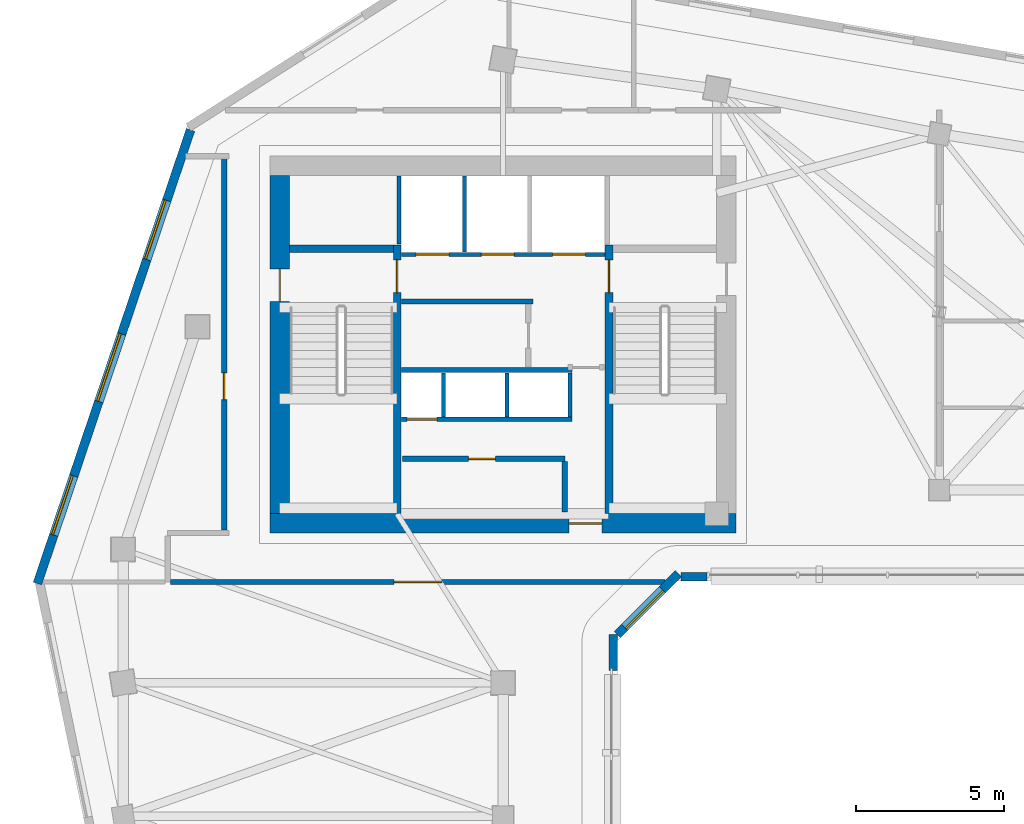
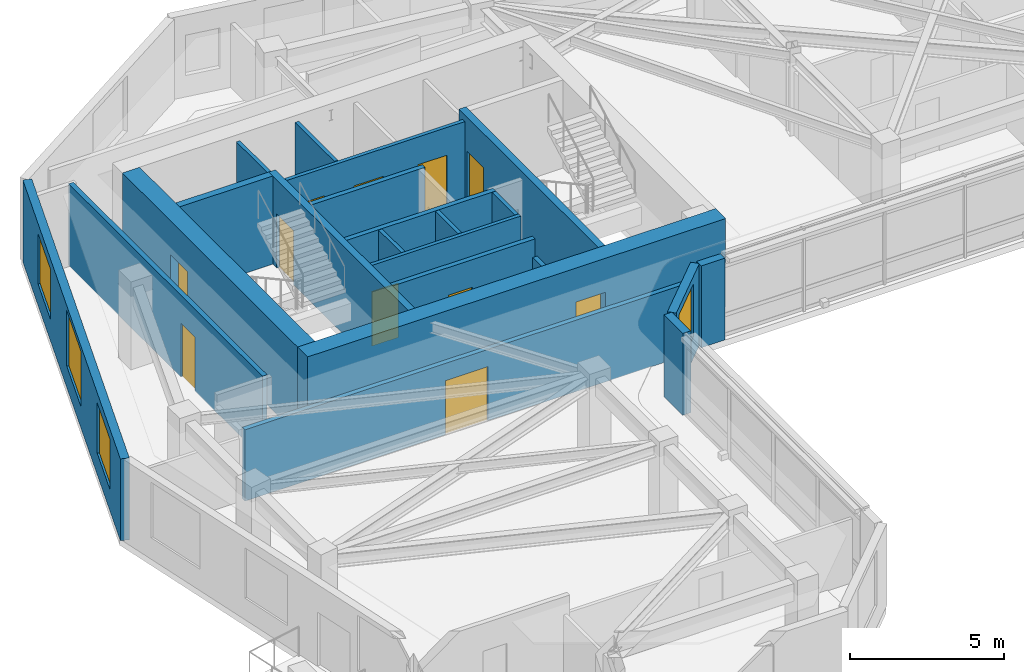
# One storey, part 5 of 10: 22 walls, 11 doors, 4 windows, 15 openings.
"""IFC4 building model written with IfcOpenShell, lengths in metres."""

from ifc_helpers import new_model, si_unit, direction, frame, frame_2d, origin, place, context, subcontext, project, spatial, rectangle, extrude, source, transform, mapped, material, layer, layer_set, type_object, element, fill, save


model = new_model("IFC4")

# Units and contexts
model_context = context("Model", 3, precision=1e-05, world=origin(), true_north=direction((0.0, 1.0)))
body_context = subcontext(model_context, "Body", "Model", "MODEL_VIEW")
ifc_project = project(units=[si_unit("LENGTHUNIT", "METRE"), si_unit("AREAUNIT", "SQUARE_METRE"), si_unit("VOLUMEUNIT", "CUBIC_METRE"), si_unit("PLANEANGLEUNIT", "RADIAN"), si_unit("MASSUNIT", "GRAM", prefix="KILO")], contexts=[model_context])

# Site, building, storey
site_placement = place(None, origin())
site = spatial("IfcSite", under=ifc_project, at=site_placement, CompositionType="ELEMENT")
building_placement = place(site_placement, origin())
building = spatial("IfcBuilding", under=site, at=building_placement, Name="Calvemar Wedge Station Tower", CompositionType="ELEMENT")
storey_placement = place(building_placement, frame((0.0, 0.0, 204.39990234375)))
storey = spatial("IfcBuildingStorey", under=building, at=storey_placement, Name="L51", CompositionType="ELEMENT", Elevation=204.39990234375)

# Wall, opening, door
ifc_material_1 = material(Name="Concrete C50", Category="concrete")
ifc_layer_1 = layer(ifc_material_1, 0.260009765625)
ifc_layer_set_1 = layer_set([ifc_layer_1], Name="Concrete C50")
wall_type_1 = type_object("IfcWallType", Name="SW-CORE-260", PredefinedType="SHEAR", material=ifc_layer_set_1)
wall_1_placement = place(storey_placement, frame((20.22998046875, 34.199951171875, 0.0), z_axis=(0.0, 0.0, 1.0), x_axis=(0.0, 1.0, 0.0)))
wall_1 = element("IfcWall", 1, at=wall_1_placement, inside=storey, type_object=wall_type_1, Name="Storey L51 Core Shear Wall SPINE-W", PredefinedType="SHEAR", context=body_context, shape_type="SweptSolid", body=[
    extrude(rectangle(XDim=9.06005859375, YDim=0.260009765625, at=frame_2d((4.530029296875, 0.0))), origin(), (0.0, 0.0, 1.0), 3.5),
])
shared_shape_1 = source(origin(), body_context, "Body", "SweptSolid", [
    extrude(rectangle(XDim=1.10009765625, YDim=2.14990234375, at=frame_2d((0.550048828125, 1.074951171875))), frame((0.0, 0.14013671875, 0.0), z_axis=(0.0, -1.0, 0.0), x_axis=(1.0, 0.0, 0.0)), (0.0, 0.0, 1.0), 0.280029296875),
])
opening_1_placement = place(wall_1_placement, frame((7.449951171875, 0.0, 0.0)))
opening_1 = element("IfcOpeningElement", 2, at=opening_1_placement, cuts=wall_1, Name="Opening FD-90", PredefinedType="OPENING", context=body_context, shape_type="MappedRepresentation", body=[
    mapped(shared_shape_1, transform((0.0, 0.0, 0.0), scale=1.0)),
])
ifc_material_2 = material(Name="Galvanized fire-rated steel door leaf P-90", Category="steel")
door_type_1 = type_object("IfcDoorType", Name="DR-FD90-1100", OperationType="NOTDEFINED", PredefinedType="DOOR", material=ifc_material_2)
shared_shape_2 = source(origin(), body_context, "Body", "SweptSolid", [
    extrude(rectangle(XDim=1.10009765625, YDim=2.14990234375, at=frame_2d((0.550048828125, 1.074951171875))), frame((0.0, 0.02490234375, 0.0), z_axis=(0.0, -1.0, 0.0), x_axis=(1.0, 0.0, 0.0)), (0.0, 0.0, 1.0), 0.050048828125),
])
door_1_placement = place(opening_1_placement, origin())
door_1 = element("IfcDoor", 3, at=door_1_placement, inside=storey, type_object=door_type_1, Name="L51 FF Lobby to Stair ST-C1 Door", OperationType="SINGLE_SWING_RIGHT", OverallHeight=2.14990234375, OverallWidth=1.10009765625, PredefinedType="DOOR", context=body_context, shape_type="MappedRepresentation", body=[
    mapped(shared_shape_2, transform((0.0, 0.0, 0.0), scale=1.0)),
])
fill(opening_1, door_1)

wall_2_placement = place(storey_placement, frame((27.3701171875, 34.199951171875, 0.0), z_axis=(0.0, 0.0, 1.0), x_axis=(0.0, 1.0, 0.0)))
wall_2 = element("IfcWall", 4, at=wall_2_placement, inside=storey, type_object=wall_type_1, Name="Storey L51 Core Shear Wall SPINE-E", PredefinedType="SHEAR", context=body_context, shape_type="SweptSolid", body=[
    extrude(rectangle(XDim=9.06005859375, YDim=0.260009765625, at=frame_2d((4.530029296875, 0.0))), origin(), (0.0, 0.0, 1.0), 3.5),
])
opening_2_placement = place(wall_2_placement, frame((7.449951171875, 0.0, 0.0)))
opening_2 = element("IfcOpeningElement", 5, at=opening_2_placement, cuts=wall_2, Name="Opening FD-90", PredefinedType="OPENING", context=body_context, shape_type="MappedRepresentation", body=[
    mapped(shared_shape_1, transform((0.0, 0.0, 0.0), scale=1.0)),
])
door_2_placement = place(opening_2_placement, origin())
door_2 = element("IfcDoor", 6, at=door_2_placement, inside=storey, type_object=door_type_1, Name="L51 FF Lobby to Stair ST-C2 Door", OperationType="SINGLE_SWING_LEFT", OverallHeight=2.14990234375, OverallWidth=1.10009765625, PredefinedType="DOOR", context=body_context, shape_type="MappedRepresentation", body=[
    mapped(shared_shape_2, transform((0.0, 0.0, 0.0), scale=1.0)),
])
fill(opening_2, door_2)

# Wall
wall_3_placement = place(storey_placement, frame((16.60009765625, 43.1298828125, 0.0), z_axis=(0.0, 0.0, 1.0), x_axis=(1.0, 0.0, 0.0)))
element("IfcWall", 7, at=wall_3_placement, inside=storey, type_object=wall_type_1, Name="Storey L51 Core Shear Wall STC1-N", PredefinedType="SHEAR", context=body_context, shape_type="SweptSolid", body=[
    extrude(rectangle(XDim=3.5, YDim=0.260009765625, at=frame_2d((1.75, 0.0))), origin(), (0.0, 0.0, 1.0), 3.5),
])

# Wall, opening, door
ifc_material_3 = material(Name="Concrete C60", Category="concrete")
ifc_layer_2 = layer(ifc_material_3, 0.64990234375)
ifc_layer_set_2 = layer_set([ifc_layer_2], Name="Concrete C60")
wall_type_2 = type_object("IfcWallType", Name="SW-CORE-650", PredefinedType="SHEAR", material=ifc_layer_set_2)
wall_4_placement = place(storey_placement, frame((15.949951171875, 33.875, 0.0), z_axis=(0.0, 0.0, 1.0), x_axis=(1.0, 0.0, 0.0)))
wall_4 = element("IfcWall", 8, at=wall_4_placement, inside=storey, type_object=wall_type_2, Name="Storey L51 Core Shear Wall S", PredefinedType="SHEAR", context=body_context, shape_type="SweptSolid", body=[
    extrude(rectangle(XDim=15.699951171875, YDim=0.64990234375, at=frame_2d((7.85009765625, 0.0))), origin(), (0.0, 0.0, 1.0), 3.5),
])
shared_shape_3 = source(origin(), body_context, "Body", "SweptSolid", [
    extrude(rectangle(XDim=1.10009765625, YDim=2.14990234375, at=frame_2d((0.550048828125, 1.074951171875))), frame((0.0, 0.3349609375, 0.0), z_axis=(0.0, -1.0, 0.0), x_axis=(1.0, 0.0, 0.0)), (0.0, 0.0, 1.0), 0.669921875),
])
opening_3_placement = place(wall_4_placement, frame((10.080078125, 0.0, 0.0)))
opening_3 = element("IfcOpeningElement", 9, at=opening_3_placement, cuts=wall_4, Name="Opening FD-90", PredefinedType="OPENING", context=body_context, shape_type="MappedRepresentation", body=[
    mapped(shared_shape_3, transform((0.0, 0.0, 0.0), scale=1.0)),
])
door_3_placement = place(opening_3_placement, origin())
door_3 = element("IfcDoor", 10, at=door_3_placement, inside=storey, type_object=door_type_1, Name="L51 Passenger Lift Lobby Door", OperationType="SINGLE_SWING_RIGHT", OverallHeight=2.14990234375, OverallWidth=1.10009765625, PredefinedType="DOOR", context=body_context, shape_type="MappedRepresentation", body=[
    mapped(shared_shape_2, transform((0.0, 0.0, 0.0), scale=1.0)),
])
fill(opening_3, door_3)

wall_5_placement = place(storey_placement, frame((16.27490234375, 34.199951171875, 0.0), z_axis=(0.0, 0.0, 1.0), x_axis=(0.0, 1.0, 0.0)))
wall_5 = element("IfcWall", 11, at=wall_5_placement, inside=storey, type_object=wall_type_2, Name="Storey L51 Core Shear Wall W", PredefinedType="SHEAR", context=body_context, shape_type="SweptSolid", body=[
    extrude(rectangle(XDim=11.400146484375, YDim=0.64990234375, at=frame_2d((5.7001953125, 0.0))), origin(), (0.0, 0.0, 1.0), 3.5),
])
opening_4_placement = place(wall_5_placement, frame((7.14990234375, 0.0, 0.0)))
opening_4 = element("IfcOpeningElement", 12, at=opening_4_placement, cuts=wall_5, Name="Opening FD-90", PredefinedType="OPENING", context=body_context, shape_type="MappedRepresentation", body=[
    mapped(shared_shape_3, transform((0.0, 0.0, 0.0), scale=1.0)),
])
door_4_placement = place(opening_4_placement, origin())
door_4 = element("IfcDoor", 13, at=door_4_placement, inside=storey, type_object=door_type_1, Name="L51 West Corridor to Exit Stair ST-C1 Door", OperationType="SINGLE_SWING_RIGHT", OverallHeight=2.14990234375, OverallWidth=1.10009765625, PredefinedType="DOOR", context=body_context, shape_type="MappedRepresentation", body=[
    mapped(shared_shape_2, transform((0.0, 0.0, 0.0), scale=1.0)),
])
fill(opening_4, door_4)

# Wall
ifc_material_4 = material(Name="Double-stud fire-rated corridor partition")
ifc_layer_3 = layer(ifc_material_4, 0.179931640625)
ifc_layer_set_3 = layer_set([ifc_layer_3], Name="Double-stud fire-rated corridor partition")
wall_type_3 = type_object("IfcWallType", Name="W-CORR-180", PredefinedType="PARTITIONING", material=ifc_layer_set_3)
wall_6_placement = place(storey_placement, frame((24.81005859375, 41.35009765625, 0.0), z_axis=(0.0, 0.0, 1.0), x_axis=(-1.0, 0.0, 0.0)))
element("IfcWall", 14, at=wall_6_placement, inside=storey, type_object=wall_type_3, Name="Storey L51 Interior Partition WL-L51-001", PredefinedType="PARTITIONING", context=body_context, shape_type="SweptSolid", body=[
    extrude(rectangle(XDim=4.43017578125, YDim=0.179931640625, at=frame_2d((2.215087890625, 0.0))), origin(), (0.0, 0.0, 1.0), 3.25),
])

# Wall, opening, door
wall_7_placement = place(storey_placement, frame((20.419921875, 36.050048828125, 0.0), z_axis=(0.0, 0.0, 1.0), x_axis=(1.0, 0.0, 0.0)))
wall_7 = element("IfcWall", 15, at=wall_7_placement, inside=storey, type_object=wall_type_3, Name="Storey L51 Interior Partition WL-L51-004", PredefinedType="PARTITIONING", context=body_context, shape_type="SweptSolid", body=[
    extrude(rectangle(XDim=5.4599609375, YDim=0.179931640625, at=frame_2d((2.72998046875, 0.0))), origin(), (0.0, 0.0, 1.0), 3.25),
])
shared_shape_4 = source(origin(), body_context, "Body", "SweptSolid", [
    extrude(rectangle(XDim=0.89990234375, YDim=2.14990234375, at=frame_2d((0.449951171875, 1.074951171875))), frame((0.0, 0.10009765625, 0.0), z_axis=(0.0, -1.0, 0.0), x_axis=(1.0, 0.0, 0.0)), (0.0, 0.0, 1.0), 0.199951171875),
])
opening_5_placement = place(wall_7_placement, frame((2.219482421875, 0.0, 0.0)))
opening_5 = element("IfcOpeningElement", 16, at=opening_5_placement, cuts=wall_7, Name="Opening FD-60", PredefinedType="OPENING", context=body_context, shape_type="MappedRepresentation", body=[
    mapped(shared_shape_4, transform((0.0, 0.0, 0.0), scale=1.0)),
])
ifc_material_5 = material(Name="Fire-rated acoustic timber-core entrance door EI 60", Category="wood")
door_type_2 = type_object("IfcDoorType", Name="DR-FD60-900", OperationType="NOTDEFINED", PredefinedType="DOOR", material=ifc_material_5)
shared_shape_5 = source(origin(), body_context, "Body", "SweptSolid", [
    extrude(rectangle(XDim=0.89990234375, YDim=2.14990234375, at=frame_2d((0.449951171875, 1.074951171875))), frame((0.0, 0.02490234375, 0.0), z_axis=(0.0, -1.0, 0.0), x_axis=(1.0, 0.0, 0.0)), (0.0, 0.0, 1.0), 0.050048828125),
])
door_5_placement = place(opening_5_placement, origin())
door_5 = element("IfcDoor", 17, at=door_5_placement, inside=storey, type_object=door_type_2, Name="L51 Parcel and Resident Store Door", OperationType="SINGLE_SWING_LEFT", OverallHeight=2.14990234375, OverallWidth=0.89990234375, PredefinedType="DOOR", context=body_context, shape_type="MappedRepresentation", body=[
    mapped(shared_shape_5, transform((0.0, 0.0, 0.0), scale=1.0)),
])
fill(opening_5, door_5)

# Wall
wall_8_placement = place(storey_placement, frame((25.8798828125, 35.9560546875, 0.0), z_axis=(0.0, 0.0, 1.0), x_axis=(0.0, -1.0, 0.0)))
element("IfcWall", 18, at=wall_8_placement, inside=storey, type_object=wall_type_3, Name="Storey L51 Interior Partition WL-L51-005", PredefinedType="PARTITIONING", context=body_context, shape_type="SweptSolid", body=[
    extrude(rectangle(XDim=1.7060546875, YDim=0.179931640625, at=frame_2d((0.85302734375, 0.0))), origin(), (0.0, 0.0, 1.0), 2.5419921875),
])

# Wall, opening, door
wall_9_placement = place(storey_placement, frame((29.26513671875, 31.89990234375, 0.0), z_axis=(0.0, 0.0, 1.0), x_axis=(-1.0, 0.0, 0.0)))
wall_9 = element("IfcWall", 19, at=wall_9_placement, inside=storey, type_object=wall_type_3, Name="Storey L51 Interior Partition WL-L51-008", PredefinedType="PARTITIONING", context=body_context, shape_type="SweptSolid", body=[
    extrude(rectangle(XDim=16.671142578125, YDim=0.179931640625, at=frame_2d((8.33544921875, 0.0))), origin(), (0.0, 0.0, 1.0), 2.835205078125),
])
shared_shape_6 = source(origin(), body_context, "Body", "SweptSolid", [
    extrude(rectangle(XDim=1.60009765625, YDim=2.14990234375, at=frame_2d((0.800048828125, 1.074951171875))), frame((0.0, 0.10009765625, 0.0), z_axis=(0.0, -1.0, 0.0), x_axis=(1.0, 0.0, 0.0)), (0.0, 0.0, 1.0), 0.199951171875),
])
opening_6_placement = place(wall_9_placement, frame((7.53564453125, 0.0, 0.0)))
opening_6 = element("IfcOpeningElement", 20, at=opening_6_placement, cuts=wall_9, Name="Opening DD-160", PredefinedType="OPENING", context=body_context, shape_type="MappedRepresentation", body=[
    mapped(shared_shape_6, transform((0.0, 0.0, 0.0), scale=1.0)),
])
ifc_material_6 = material(Name="Double-leaf fire-rated lobby door EI 60")
door_type_3 = type_object("IfcDoorType", Name="DR-DBL-1600", OperationType="DOUBLE_DOOR_SINGLE_SWING", PredefinedType="DOOR", material=ifc_material_6)
shared_shape_7 = source(origin(), body_context, "Body", "SweptSolid", [
    extrude(rectangle(XDim=1.60009765625, YDim=2.14990234375, at=frame_2d((0.800048828125, 1.074951171875))), frame((0.0, 0.02490234375, 0.0), z_axis=(0.0, -1.0, 0.0), x_axis=(1.0, 0.0, 0.0)), (0.0, 0.0, 1.0), 0.050048828125),
])
door_6_placement = place(opening_6_placement, origin())
door_6 = element("IfcDoor", 21, at=door_6_placement, inside=storey, type_object=door_type_3, Name="L51 Resident Banquet Dining Hall Door", OperationType="SINGLE_SWING_RIGHT", OverallHeight=2.14990234375, OverallWidth=1.60009765625, PredefinedType="DOOR", context=body_context, shape_type="MappedRepresentation", body=[
    mapped(shared_shape_7, transform((0.0, 0.0, 0.0), scale=1.0)),
])
fill(opening_6, door_6)

wall_10_placement = place(storey_placement, frame((14.39990234375, 33.64404296875, 0.0), z_axis=(0.0, 0.0, 1.0), x_axis=(0.0, 1.0, 0.0)))
wall_10 = element("IfcWall", 22, at=wall_10_placement, inside=storey, type_object=wall_type_3, Name="Storey L51 Interior Partition WL-L51-009", PredefinedType="PARTITIONING", context=body_context, shape_type="SweptSolid", body=[
    extrude(rectangle(XDim=12.60595703125, YDim=0.179931640625, at=frame_2d((6.302978515625, 0.0))), origin(), (0.0, 0.0, 1.0), 3.25),
])
opening_7_placement = place(wall_10_placement, frame((4.399169921875, 0.0, 0.0)))
opening_7 = element("IfcOpeningElement", 23, at=opening_7_placement, cuts=wall_10, Name="Opening D-01", PredefinedType="OPENING", context=body_context, shape_type="MappedRepresentation", body=[
    mapped(shared_shape_4, transform((0.0, 0.0, 0.0), scale=1.0)),
])
ifc_material_7 = material(Name="Architectural hardwood acoustic swing door", Category="wood")
door_type_4 = type_object("IfcDoorType", Name="DR-INT-900", OperationType="NOTDEFINED", PredefinedType="DOOR", material=ifc_material_7)
shared_shape_8 = source(origin(), body_context, "Body", "SweptSolid", [
    extrude(rectangle(XDim=0.89990234375, YDim=2.14990234375, at=frame_2d((0.449951171875, 1.074951171875))), frame((0.0, 0.02490234375, 0.0), z_axis=(0.0, -1.0, 0.0), x_axis=(1.0, 0.0, 0.0)), (0.0, 0.0, 1.0), 0.050048828125),
])
door_7_placement = place(opening_7_placement, origin())
door_7 = element("IfcDoor", 24, at=door_7_placement, inside=storey, type_object=door_type_4, Name="L51 Resident Reading Lounge Door", OperationType="SINGLE_SWING_RIGHT", OverallHeight=2.14990234375, OverallWidth=0.89990234375, PredefinedType="DOOR", context=body_context, shape_type="MappedRepresentation", body=[
    mapped(shared_shape_8, transform((0.0, 0.0, 0.0), scale=1.0)),
])
fill(opening_7, door_7)

# Wall
ifc_material_8 = material(Name="Precast concrete C45", Category="concrete")
ifc_layer_4 = layer(ifc_material_8, 0.300048828125)
ifc_layer_set_4 = layer_set([ifc_layer_4], Name="Precast concrete C45")
wall_type_4 = type_object("IfcWallType", Name="W-EXT-GFRC-300", PredefinedType="SOLIDWALL", material=ifc_layer_set_4)
wall_11_placement = place(storey_placement, frame((27.513916015625, 28.90869140625, 0.0), z_axis=(0.0, 0.0, 1.0), x_axis=(0.0, 1.0, 0.0)))
element("IfcWall", 25, at=wall_11_placement, inside=storey, type_object=wall_type_4, Name="Storey L51 Bronze GFRC Corner Pier 4B", PredefinedType="SOLIDWALL", context=body_context, shape_type="SweptSolid", body=[
    extrude(rectangle(XDim=1.227294921875, YDim=0.300048828125, at=frame_2d((0.61376953125, 0.0))), origin(), (0.0, 0.0, 1.0), 3.25),
])

# Wall, opening, window
wall_12_placement = place(storey_placement, frame((27.652099609375, 30.1240234375, 0.0), z_axis=(0.0, 0.0, 1.0), x_axis=(0.707064797706, 0.707148762175, 0.0)))
wall_12 = element("IfcWall", 26, at=wall_12_placement, inside=storey, type_object=wall_type_4, Name="Storey L51 Bronze GFRC Exterior Wall 5", PredefinedType="SOLIDWALL", context=body_context, shape_type="SweptSolid", body=[
    extrude(rectangle(XDim=2.90771484375, YDim=0.300048828125, at=frame_2d((1.453857421875, 0.0))), origin(), (0.0, 0.0, 1.0), 3.25),
])
shared_shape_9 = source(origin(), body_context, "Body", "SweptSolid", [
    extrude(rectangle(XDim=1.800048828125, YDim=2.10009765625, at=frame_2d((0.89990234375, 1.050048828125))), frame((0.0, 0.16015625, 0.0), z_axis=(0.0, -1.0, 0.0), x_axis=(1.0, 0.0, 0.0)), (0.0, 0.0, 1.0), 0.320068359375),
])
opening_8_placement = place(wall_12_placement, frame((0.347900390625, 0.0, 0.85009765625)))
opening_8 = element("IfcOpeningElement", 27, at=opening_8_placement, cuts=wall_12, Name="Opening W2", PredefinedType="OPENING", context=body_context, shape_type="MappedRepresentation", body=[
    mapped(shared_shape_9, transform((0.0, 0.0, 0.0), scale=1.0)),
])
ifc_material_9 = material(Name="Low-E laminated insulated glass", Category="glass")
window_type_1 = type_object("IfcWindowType", Name="WIN-EXT-2", PartitioningType="SINGLE_PANEL", PredefinedType="WINDOW", material=ifc_material_9)
shared_shape_10 = source(origin(), body_context, "Body", "SweptSolid", [
    extrude(rectangle(XDim=1.800048828125, YDim=2.10009765625, at=frame_2d((0.89990234375, 1.050048828125))), frame((0.0, -0.014892578125, 0.0), z_axis=(0.0, -1.0, 0.0), x_axis=(1.0, 0.0, 0.0)), (0.0, 0.0, 1.0), 0.06005859375),
])
window_1_placement = place(opening_8_placement, origin())
window_1 = element("IfcWindow", 28, at=window_1_placement, inside=storey, type_object=window_type_1, Name="Storey L51 Recessed Window 5.1", OverallHeight=2.10009765625, OverallWidth=1.800048828125, PartitioningType="SINGLE_PANEL", PredefinedType="WINDOW", context=body_context, shape_type="MappedRepresentation", body=[
    mapped(shared_shape_10, transform((0.0, 0.0, 0.0), scale=1.0)),
])
fill(opening_8, window_1)

# Wall
wall_13_placement = place(storey_placement, frame((29.797119140625, 32.073974609375, 0.0), z_axis=(0.0, 0.0, 1.0), x_axis=(1.0, 0.0, 0.0)))
element("IfcWall", 29, at=wall_13_placement, inside=storey, type_object=wall_type_4, Name="Storey L51 Bronze GFRC Corner Pier 6A", PredefinedType="SOLIDWALL", context=body_context, shape_type="SweptSolid", body=[
    extrude(rectangle(XDim=0.88232421875, YDim=0.300048828125, at=frame_2d((0.441162109375, 0.0))), origin(), (0.0, 0.0, 1.0), 3.25),
])

# Wall, openings, windows
wall_14_placement = place(storey_placement, frame((13.2685546875, 47.1337890625, 0.0), z_axis=(0.0, 0.0, 1.0), x_axis=(-0.319920776449, -0.947444297464, 0.0)))
wall_14 = element("IfcWall", 30, at=wall_14_placement, inside=storey, type_object=wall_type_4, Name="Storey L51 Bronze GFRC Exterior Wall 12", PredefinedType="SOLIDWALL", context=body_context, shape_type="SweptSolid", body=[
    extrude(rectangle(XDim=16.13330078125, YDim=0.300048828125, at=frame_2d((8.066650390625, 0.0))), origin(), (0.0, 0.0, 1.0), 3.25),
])
shared_shape_11 = source(origin(), body_context, "Body", "SweptSolid", [
    extrude(rectangle(XDim=2.10009765625, YDim=2.0, at=frame_2d((1.050048828125, 1.0))), frame((0.0, 0.16015625, 0.0), z_axis=(0.0, -1.0, 0.0), x_axis=(1.0, 0.0, 0.0)), (0.0, 0.0, 1.0), 0.320068359375),
])
opening_9_placement = place(wall_14_placement, frame((2.512939453125, 0.0, 0.85009765625)))
opening_9 = element("IfcOpeningElement", 31, at=opening_9_placement, cuts=wall_14, Name="Opening W4", PredefinedType="OPENING", context=body_context, shape_type="MappedRepresentation", body=[
    mapped(shared_shape_11, transform((0.0, 0.0, 0.0), scale=1.0)),
])
shared_shape_12 = source(origin(), body_context, "Body", "SweptSolid", [
    extrude(rectangle(XDim=2.39990234375, YDim=2.199951171875, at=frame_2d((1.199951171875, 1.10009765625))), frame((0.0, 0.16015625, 0.0), z_axis=(0.0, -1.0, 0.0), x_axis=(1.0, 0.0, 0.0)), (0.0, 0.0, 1.0), 0.320068359375),
])
opening_10_placement = place(wall_14_placement, frame((7.260009765625, 0.0, 0.85009765625)))
opening_10 = element("IfcOpeningElement", 32, at=opening_10_placement, cuts=wall_14, Name="Opening W1", PredefinedType="OPENING", context=body_context, shape_type="MappedRepresentation", body=[
    mapped(shared_shape_12, transform((0.0, 0.0, 0.0), scale=1.0)),
])
opening_11_placement = place(wall_14_placement, frame((12.306884765625, 0.0, 0.85009765625)))
opening_11 = element("IfcOpeningElement", 33, at=opening_11_placement, cuts=wall_14, Name="Opening W4", PredefinedType="OPENING", context=body_context, shape_type="MappedRepresentation", body=[
    mapped(shared_shape_11, transform((0.0, 0.0, 0.0), scale=1.0)),
])
window_type_2 = type_object("IfcWindowType", Name="WIN-EXT-4", PartitioningType="SINGLE_PANEL", PredefinedType="WINDOW", material=ifc_material_9)
shared_shape_13 = source(origin(), body_context, "Body", "SweptSolid", [
    extrude(rectangle(XDim=2.10009765625, YDim=2.0, at=frame_2d((1.050048828125, 1.0))), frame((0.0, -0.014892578125, 0.0), z_axis=(0.0, -1.0, 0.0), x_axis=(1.0, 0.0, 0.0)), (0.0, 0.0, 1.0), 0.06005859375),
])
window_2_placement = place(opening_9_placement, origin())
window_2 = element("IfcWindow", 34, at=window_2_placement, inside=storey, type_object=window_type_2, Name="Storey L51 Recessed Window 12.1", OverallHeight=2.0, OverallWidth=2.10009765625, PartitioningType="SINGLE_PANEL", PredefinedType="WINDOW", context=body_context, shape_type="MappedRepresentation", body=[
    mapped(shared_shape_13, transform((0.0, 0.0, 0.0), scale=1.0)),
])
fill(opening_9, window_2)
window_3_placement = place(opening_11_placement, origin())
window_3 = element("IfcWindow", 35, at=window_3_placement, inside=storey, type_object=window_type_2, Name="Storey L51 Recessed Window 12.3", OverallHeight=2.0, OverallWidth=2.10009765625, PartitioningType="SINGLE_PANEL", PredefinedType="WINDOW", context=body_context, shape_type="MappedRepresentation", body=[
    mapped(shared_shape_13, transform((0.0, 0.0, 0.0), scale=1.0)),
])
fill(opening_11, window_3)
window_type_3 = type_object("IfcWindowType", Name="WIN-EXT-1", PartitioningType="SINGLE_PANEL", PredefinedType="WINDOW", material=ifc_material_9)
shared_shape_14 = source(origin(), body_context, "Body", "SweptSolid", [
    extrude(rectangle(XDim=2.39990234375, YDim=2.199951171875, at=frame_2d((1.199951171875, 1.10009765625))), frame((0.0, -0.014892578125, 0.0), z_axis=(0.0, -1.0, 0.0), x_axis=(1.0, 0.0, 0.0)), (0.0, 0.0, 1.0), 0.06005859375),
])
window_4_placement = place(opening_10_placement, origin())
window_4 = element("IfcWindow", 36, at=window_4_placement, inside=storey, type_object=window_type_3, Name="Storey L51 Recessed Window 12.2", OverallHeight=2.199951171875, OverallWidth=2.39990234375, PartitioningType="SINGLE_PANEL", PredefinedType="WINDOW", context=body_context, shape_type="MappedRepresentation", body=[
    mapped(shared_shape_14, transform((0.0, 0.0, 0.0), scale=1.0)),
])
fill(opening_10, window_4)

# Wall, openings, doors
ifc_material_10 = material(Name="Reinforced concrete blockwork lift shaft wall", Category="masonry")
ifc_layer_5 = layer(ifc_material_10, 0.139892578125)
ifc_layer_set_5 = layer_set([ifc_layer_5], Name="Reinforced concrete blockwork lift shaft wall")
wall_type_5 = type_object("IfcWallType", Name="W-LIFT-160", PredefinedType="SOLIDWALL", material=ifc_layer_set_5)
wall_15_placement = place(storey_placement, frame((20.3701171875, 42.929931640625, 0.0), z_axis=(0.0, 0.0, 1.0), x_axis=(1.0, 0.0, 0.0)))
wall_15 = element("IfcWall", 37, at=wall_15_placement, inside=storey, type_object=wall_type_5, Name="Storey L51 Firefighting and Service Lift Shaft Front Wall", PredefinedType="SOLIDWALL", context=body_context, shape_type="SweptSolid", body=[
    extrude(rectangle(XDim=6.85986328125, YDim=0.139892578125, at=frame_2d((3.429931640625, 0.0))), origin(), (0.0, 0.0, 1.0), 3.25),
])
shared_shape_15 = source(origin(), body_context, "Body", "SweptSolid", [
    extrude(rectangle(XDim=1.10009765625, YDim=2.14990234375, at=frame_2d((0.550048828125, 1.074951171875))), frame((0.0, 0.080078125, 0.0), z_axis=(0.0, -1.0, 0.0), x_axis=(1.0, 0.0, 0.0)), (0.0, 0.0, 1.0), 0.159912109375),
])
opening_12_placement = place(wall_15_placement, frame((0.5, 0.0, 0.0)))
opening_12 = element("IfcOpeningElement", 38, at=opening_12_placement, cuts=wall_15, Name="Opening LD-FF", PredefinedType="OPENING", context=body_context, shape_type="MappedRepresentation", body=[
    mapped(shared_shape_15, transform((0.0, 0.0, 0.0), scale=1.0)),
])
opening_13_placement = place(wall_15_placement, frame((2.699951171875, 0.0, 0.0)))
opening_13 = element("IfcOpeningElement", 39, at=opening_13_placement, cuts=wall_15, Name="Opening LD-FF", PredefinedType="OPENING", context=body_context, shape_type="MappedRepresentation", body=[
    mapped(shared_shape_15, transform((0.0, 0.0, 0.0), scale=1.0)),
])
opening_14_placement = place(wall_15_placement, frame((5.10009765625, 0.0, 0.0)))
opening_14 = element("IfcOpeningElement", 40, at=opening_14_placement, cuts=wall_15, Name="Opening LD-STN", PredefinedType="OPENING", context=body_context, shape_type="MappedRepresentation", body=[
    mapped(shared_shape_15, transform((0.0, 0.0, 0.0), scale=1.0)),
])
ifc_material_11 = material(Name="Stainless steel firefighting lift sliding landing door", Category="steel")
door_type_5 = type_object("IfcDoorType", Name="DR-LD-FF-1100", OperationType="SLIDING_TO_LEFT", PredefinedType="DOOR", material=ifc_material_11)
shared_shape_16 = source(origin(), body_context, "Body", "SweptSolid", [
    extrude(rectangle(XDim=1.10009765625, YDim=2.14990234375, at=frame_2d((0.550048828125, 1.074951171875))), frame((0.0, 0.02490234375, 0.0), z_axis=(0.0, -1.0, 0.0), x_axis=(1.0, 0.0, 0.0)), (0.0, 0.0, 1.0), 0.050048828125),
])
door_8_placement = place(opening_12_placement, origin())
door_8 = element("IfcDoor", 41, at=door_8_placement, inside=storey, type_object=door_type_5, Name="L51 Lift FF-01 Sliding Landing Door", OperationType="SLIDING_TO_LEFT", OverallHeight=2.14990234375, OverallWidth=1.10009765625, PredefinedType="DOOR", context=body_context, shape_type="MappedRepresentation", body=[
    mapped(shared_shape_16, transform((0.0, 0.0, 0.0), scale=1.0)),
])
fill(opening_12, door_8)
door_9_placement = place(opening_13_placement, origin())
door_9 = element("IfcDoor", 42, at=door_9_placement, inside=storey, type_object=door_type_5, Name="L51 Lift FF-02 Sliding Landing Door", OperationType="SLIDING_TO_RIGHT", OverallHeight=2.14990234375, OverallWidth=1.10009765625, PredefinedType="DOOR", context=body_context, shape_type="MappedRepresentation", body=[
    mapped(shared_shape_16, transform((0.0, 0.0, 0.0), scale=1.0)),
])
fill(opening_13, door_9)
ifc_material_12 = material(Name="Stainless steel transit lift sliding landing door", Category="steel")
door_type_6 = type_object("IfcDoorType", Name="DR-LD-PAX-1100", OperationType="SLIDING_TO_LEFT", PredefinedType="DOOR", material=ifc_material_12)
shared_shape_17 = source(origin(), body_context, "Body", "SweptSolid", [
    extrude(rectangle(XDim=1.10009765625, YDim=2.14990234375, at=frame_2d((0.550048828125, 1.074951171875))), frame((0.0, 0.02490234375, 0.0), z_axis=(0.0, -1.0, 0.0), x_axis=(1.0, 0.0, 0.0)), (0.0, 0.0, 1.0), 0.050048828125),
])
door_10_placement = place(opening_14_placement, origin())
door_10 = element("IfcDoor", 43, at=door_10_placement, inside=storey, type_object=door_type_6, Name="L51 Lift SV-01 Sliding Landing Door", OperationType="SLIDING_TO_LEFT", OverallHeight=2.14990234375, OverallWidth=1.10009765625, PredefinedType="DOOR", context=body_context, shape_type="MappedRepresentation", body=[
    mapped(shared_shape_17, transform((0.0, 0.0, 0.0), scale=1.0)),
])
fill(opening_14, door_10)

# Walls
wall_16_placement = place(storey_placement, frame((20.2900390625, 43.280029296875, 0.0), z_axis=(0.0, 0.0, 1.0), x_axis=(0.0, 1.0, 0.0)))
element("IfcWall", 44, at=wall_16_placement, inside=storey, type_object=wall_type_5, Name="Storey L51 Firefighting Lift Shaft Enclosure Wall W", PredefinedType="SOLIDWALL", context=body_context, shape_type="SweptSolid", body=[
    extrude(rectangle(XDim=2.300048828125, YDim=0.139892578125, at=frame_2d((1.14990234375, 0.0))), origin(), (0.0, 0.0, 1.0), 3.25),
])
wall_17_placement = place(storey_placement, frame((22.5, 43.02001953125, 0.0), z_axis=(0.0, 0.0, 1.0), x_axis=(0.0, 1.0, 0.0)))
element("IfcWall", 45, at=wall_17_placement, inside=storey, type_object=wall_type_5, Name="Storey L51 Firefighting Lift Shaft Enclosure Wall D1", PredefinedType="SOLIDWALL", context=body_context, shape_type="SweptSolid", body=[
    extrude(rectangle(XDim=2.56005859375, YDim=0.139892578125, at=frame_2d((1.280029296875, 0.0))), origin(), (0.0, 0.0, 1.0), 3.25),
])

# Wall, opening, door
wall_18_placement = place(storey_placement, frame((20.3798828125, 37.3798828125, 0.0), z_axis=(0.0, 0.0, 1.0), x_axis=(1.0, 0.0, 0.0)))
wall_18 = element("IfcWall", 46, at=wall_18_placement, inside=storey, type_object=wall_type_5, Name="Storey L51 Upper Passenger Lift Bank Front Wall", PredefinedType="SOLIDWALL", context=body_context, shape_type="SweptSolid", body=[
    extrude(rectangle(XDim=5.75, YDim=0.139892578125, at=frame_2d((2.875, 0.0))), origin(), (0.0, 0.0, 1.0), 3.25),
])
shared_shape_18 = source(origin(), body_context, "Body", "SweptSolid", [
    extrude(rectangle(XDim=1.0, YDim=2.14990234375, at=frame_2d((0.5, 1.074951171875))), frame((0.0, 0.080078125, 0.0), z_axis=(0.0, -1.0, 0.0), x_axis=(1.0, 0.0, 0.0)), (0.0, 0.0, 1.0), 0.159912109375),
])
opening_15_placement = place(wall_18_placement, frame((0.18994140625, 0.0, 0.0)))
opening_15 = element("IfcOpeningElement", 47, at=opening_15_placement, cuts=wall_18, Name="Opening LD-PAX", PredefinedType="OPENING", context=body_context, shape_type="MappedRepresentation", body=[
    mapped(shared_shape_18, transform((0.0, 0.0, 0.0), scale=1.0)),
])
ifc_material_13 = material(Name="Anodised bronze passenger lift sliding landing door")
door_type_7 = type_object("IfcDoorType", Name="DR-LD-PAX-1000", OperationType="SLIDING_TO_LEFT", PredefinedType="DOOR", material=ifc_material_13)
shared_shape_19 = source(origin(), body_context, "Body", "SweptSolid", [
    extrude(rectangle(XDim=1.0, YDim=2.14990234375, at=frame_2d((0.5, 1.074951171875))), frame((0.0, 0.02490234375, 0.0), z_axis=(0.0, -1.0, 0.0), x_axis=(1.0, 0.0, 0.0)), (0.0, 0.0, 1.0), 0.050048828125),
])
door_11_placement = place(opening_15_placement, origin())
door_11 = element("IfcDoor", 48, at=door_11_placement, inside=storey, type_object=door_type_7, Name="L51 Lift RH-01 Sliding Landing Door", OperationType="SLIDING_TO_LEFT", OverallHeight=2.14990234375, OverallWidth=1.0, PredefinedType="DOOR", context=body_context, shape_type="MappedRepresentation", body=[
    mapped(shared_shape_19, transform((0.0, 0.0, 0.0), scale=1.0)),
])
fill(opening_15, door_11)

# Walls
for number, where, z_axis, x_axis, name in (
    (49, (26.06005859375, 37.4599609375, 0.0), (0.0, 0.0, 1.0), (0.0, 1.0, 0.0), "Storey L51 Upper Passenger Lift Shaft Wall E"),
    (50, (21.794921875, 37.4599609375, 0.0), (0.0, 0.0, 1.0), (0.0, 1.0, 0.0), "Storey L51 Upper Passenger Lift Shaft Wall D1"),
    (51, (23.93505859375, 37.4599609375, 0.0), (0.0, 0.0, 1.0), (0.0, 1.0, 0.0), "Storey L51 Upper Passenger Lift Shaft Wall D2"),
):
    element("IfcWall", number, at=place(storey_placement, frame(where, z_axis=z_axis, x_axis=x_axis)), inside=storey, type_object=wall_type_5, Name=name, PredefinedType="SOLIDWALL", context=body_context, shape_type="SweptSolid", body=[
        extrude(rectangle(XDim=1.47998046875, YDim=0.139892578125, at=frame_2d((0.739990234375, 0.0))), origin(), (0.0, 0.0, 1.0), 3.25),
    ])
ifc_material_14 = material(Name="Concrete blockwork and fireboard shaft wall", Category="masonry")
ifc_layer_6 = layer(ifc_material_14, 0.199951171875)
ifc_layer_set_6 = layer_set([ifc_layer_6], Name="Concrete blockwork and fireboard shaft wall")
wall_type_6 = type_object("IfcWallType", Name="W-SHAFT-200", PredefinedType="SOLIDWALL", material=ifc_layer_set_6)
wall_19_placement = place(storey_placement, frame((20.3798828125, 39.0400390625, 0.0), z_axis=(0.0, 0.0, 1.0), x_axis=(1.0, 0.0, 0.0)))
element("IfcWall", 52, at=wall_19_placement, inside=storey, type_object=wall_type_6, Name="Storey L51 Upper Passenger Lift Bank Rear Shaft Wall", PredefinedType="SOLIDWALL", context=body_context, shape_type="SweptSolid", body=[
    extrude(rectangle(XDim=5.75, YDim=0.179931640625, at=frame_2d((2.875, 0.0))), origin(), (0.0, 0.0, 1.0), 3.25),
])

save(model, "model.ifc")
